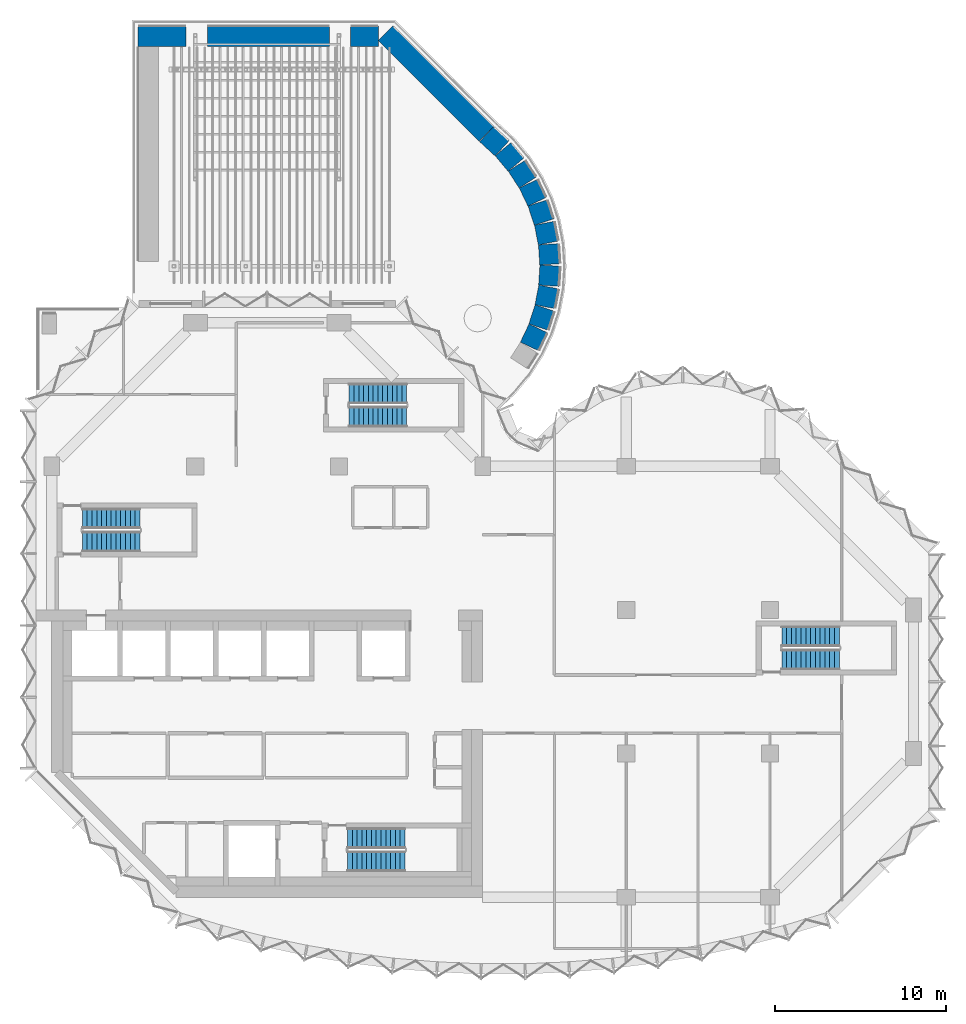
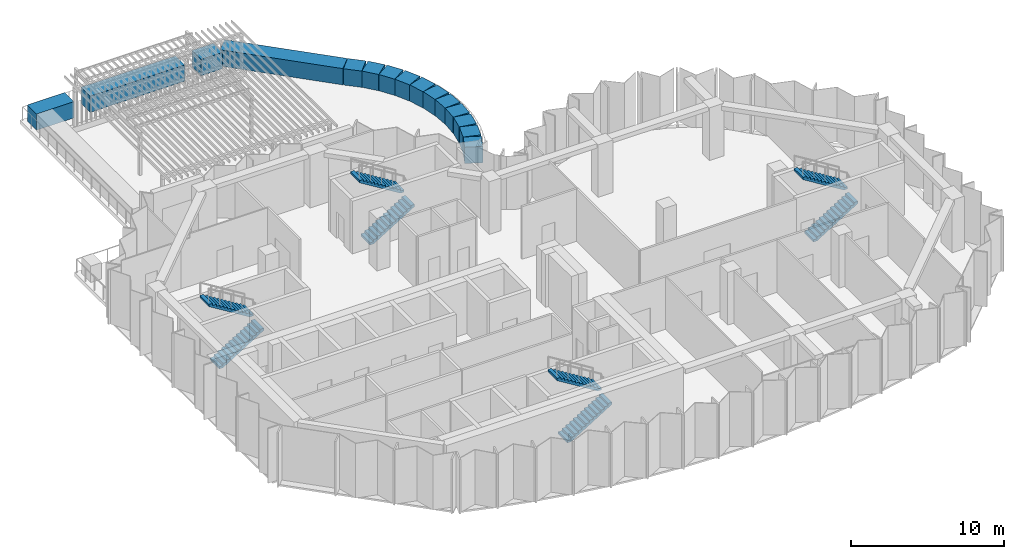
# One storey, part 11 of 15: 15 walls, 8 stair flights, 4 elements without a shape of their own.
"""IFC4 building model written with IfcOpenShell, lengths in metres."""

import ifcopenshell
import ifcopenshell.guid

model = None  # the IFC model being written
_history = None  # IfcOwnerHistory: only IFC2X3 demands one
_inside = {}  # id of a spatial element -> (the spatial element, [elements in it])
_under = {}  # id of a project, library or spatial element -> (it, [spatial elements below it])
_declared = {}  # id of a project -> (the project, [libraries it declares])
_typed = {}  # id of a type object -> (the type object, [elements of that type])
_made_of = {}  # id of a material, layer set ... -> (it, [elements and type objects made of it])


def new_model(schema):
    """Start an empty IFC model of exactly this schema.

    Asked for "IFC4X3", IfcOpenShell would pick the latest addendum, in which some entities
    have other attributes; the version numbers below select the first issue.
    IFC2X3 requires an IfcOwnerHistory on every rooted entity: one is made here for all.
    """
    global model, _history
    if schema == "IFC4X3":
        model = ifcopenshell.file(schema_version=(4, 3, 0, 0))
    else:
        model = ifcopenshell.file(schema=schema)
    _inside.clear()
    _under.clear()
    _declared.clear()
    _typed.clear()
    _made_of.clear()
    _history = None
    if model.schema == "IFC2X3":
        org = make("IfcOrganization", Name="unknown")
        user = make(
            "IfcPersonAndOrganization",
            ThePerson=make("IfcPerson", FamilyName="unknown"),
            TheOrganization=org,
        )
        app = make(
            "IfcApplication",
            ApplicationDeveloper=org,
            Version="unknown",
            ApplicationFullName="unknown",
            ApplicationIdentifier="unknown",
        )
        _history = make(
            "IfcOwnerHistory",
            OwningUser=user,
            OwningApplication=app,
            ChangeAction="ADDED",
            CreationDate=0,
        )
    return model


def make(cls, **values):
    """One entity of the class cls with the attributes given. An attribute that is None is left unset."""
    return model.create_entity(
        cls, **{name: value for name, value in values.items() if value is not None}
    )


def rooted(cls, **values):
    """An entity with a GlobalId (a new one), such as an element, a storey or a relation."""
    return make(cls, GlobalId=ifcopenshell.guid.new(), OwnerHistory=_history, **values)


def si_unit(unit_type, name, prefix=None):
    """IfcSIUnit, for example si_unit("LENGTHUNIT", "METRE", prefix="MILLI")."""
    return make("IfcSIUnit", UnitType=unit_type, Prefix=prefix, Name=name)


def assignment(units):
    """IfcUnitAssignment: the units of a project."""
    return None if units is None else make("IfcUnitAssignment", Units=units)


def point(xyz):
    """IfcCartesianPoint."""
    return None if xyz is None else make("IfcCartesianPoint", Coordinates=xyz)


def direction(xyz):
    """IfcDirection."""
    return None if xyz is None else make("IfcDirection", DirectionRatios=xyz)


def frame(location, z_axis=None, x_axis=None):
    """IfcAxis2Placement3D, a coordinate frame: its origin and axes. An axis left out is left unset."""
    return make(
        "IfcAxis2Placement3D",
        Location=point(location),
        Axis=direction(z_axis),
        RefDirection=direction(x_axis),
    )


def frame_2d(location, x_axis=None):
    """IfcAxis2Placement2D, a coordinate frame in the plane: its origin and x axis."""
    return make(
        "IfcAxis2Placement2D", Location=point(location), RefDirection=direction(x_axis)
    )


def origin():
    """The frame at (0, 0, 0) with its axes left unset."""
    return frame((0.0, 0.0, 0.0))


def place(relative_to, where):
    """IfcLocalPlacement: puts the frame where relative to a parent placement (None: the world)."""
    return make(
        "IfcLocalPlacement", PlacementRelTo=relative_to, RelativePlacement=where
    )


def context(
    kind, dimensions, precision=None, world=None, true_north=None, identifier=None
):
    """IfcGeometricRepresentationContext, for example the 3D "Model" context."""
    return make(
        "IfcGeometricRepresentationContext",
        ContextIdentifier=identifier,
        ContextType=kind,
        CoordinateSpaceDimension=dimensions,
        Precision=precision,
        WorldCoordinateSystem=world,
        TrueNorth=true_north,
    )


def subcontext(parent, identifier, kind, view, scale=None):
    """IfcGeometricRepresentationSubContext, for example "Body" below "Model"."""
    return make(
        "IfcGeometricRepresentationSubContext",
        ContextIdentifier=identifier,
        ContextType=kind,
        ParentContext=parent,
        TargetScale=scale,
        TargetView=view,
    )


def project(units=None, contexts=None):
    """IfcProject with its units and contexts."""
    return rooted(
        "IfcProject",
        Name="project",
        RepresentationContexts=contexts,
        UnitsInContext=assignment(units),
    )


def spatial(cls, under=None, at=None, **own):
    """A site, building, storey or space (cls), placed at a placement, below another one or the project."""
    s = rooted(cls, ObjectPlacement=at, **own)
    if under is not None:
        _under.setdefault(under.id(), (under, []))[1].append(s)
    return s


def polyline(points):
    """IfcPolyline through the points."""
    return make("IfcPolyline", Points=[point(p) for p in points])


def profile(cls, at=None, kind="AREA", **sizes):
    """A parametric profile (cls). Its sizes go by their IFC names, for example OverallWidth=200.0."""
    return make(cls, ProfileType=kind, Position=at, **sizes)


def rectangle(**sizes):
    """IfcRectangleProfileDef."""
    return profile("IfcRectangleProfileDef", **sizes)


def outline(outer, holes=None, kind="AREA"):
    """IfcArbitraryClosedProfileDef: a profile drawn as a closed curve; with holes, ...WithVoids."""
    if holes is None:
        return make("IfcArbitraryClosedProfileDef", ProfileType=kind, OuterCurve=outer)
    return make(
        "IfcArbitraryProfileDefWithVoids",
        ProfileType=kind,
        OuterCurve=outer,
        InnerCurves=holes,
    )


def extrude(swept, where, along, depth):
    """IfcExtrudedAreaSolid: the profile swept, set in the frame where, extruded along a direction by depth."""
    return make(
        "IfcExtrudedAreaSolid",
        SweptArea=swept,
        Position=where,
        ExtrudedDirection=direction(along),
        Depth=depth,
    )


def shape(context_of_items, identifier, shape_type, items):
    """IfcShapeRepresentation: the items that make up one representation, for example the "Body"."""
    return make(
        "IfcShapeRepresentation",
        ContextOfItems=context_of_items,
        RepresentationIdentifier=identifier,
        RepresentationType=shape_type,
        Items=items,
    )


def material(Name=None, Category=None):
    """IfcMaterial."""
    return make("IfcMaterial", Name=Name, Category=Category)


def layer(
    of_material, thickness, ventilated=None, Name=None, Category=None, Priority=None
):
    """IfcMaterialLayer: one layer of a wall or slab, of a material (None: an air gap)."""
    return make(
        "IfcMaterialLayer",
        Material=of_material,
        LayerThickness=thickness,
        IsVentilated=ventilated,
        Name=Name,
        Category=Category,
        Priority=Priority,
    )


def layer_set(layers, Name=None):
    """IfcMaterialLayerSet."""
    return make("IfcMaterialLayerSet", MaterialLayers=layers, LayerSetName=Name)


def made_of(thing, what):
    """Note that an element or type object is made of a material, layer set ...; save() writes the relation."""
    if what is not None:
        _made_of.setdefault(what.id(), (what, []))[1].append(thing)
    return thing


def type_object(cls, material=None, **own):
    """A type object (cls), such as IfcWallType, which elements share."""
    return made_of(rooted(cls, **own), material)


def element(
    cls,
    number,
    at=None,
    inside=None,
    cuts=None,
    type_object=None,
    material=None,
    context=None,
    identifier="Body",
    shape_type=None,
    held_by="IfcProductDefinitionShape",
    body=None,
    shapes=None,
    **own,
):
    """One element of the class cls, such as IfcWall. Its Tag is "e" and its number.

    at: its placement. inside: the storey or other place that contains it. cuts: it is an
    opening in that element (IfcRelVoidsElement). A single representation is given by context,
    identifier, shape_type and body (its items); several are given by shapes. held_by: the class
    of the entity that holds the representations. save() writes the other relations.
    """
    e = rooted(cls, Tag="e%d" % number, ObjectPlacement=at, **own)
    if body is not None:
        shapes = [shape(context, identifier, shape_type, body)]
    if shapes is not None:
        e.Representation = make(held_by, Representations=shapes)
    if inside is not None:
        _inside.setdefault(inside.id(), (inside, []))[1].append(e)
    if cuts is not None:
        rooted(
            "IfcRelVoidsElement", RelatingBuildingElement=cuts, RelatedOpeningElement=e
        )
    if type_object is not None:
        _typed.setdefault(type_object.id(), (type_object, []))[1].append(e)
    return made_of(e, material)


def aggregate(whole, parts):
    """IfcRelAggregates: a whole, such as a stair, and the parts it consists of."""
    return rooted("IfcRelAggregates", RelatingObject=whole, RelatedObjects=parts)


def save(model, path):
    """Write the relations noted so far, then the file.

    IfcRelAggregates (storeys below a building ...), IfcRelContainedInSpatialStructure (elements
    in a storey), IfcRelDefinesByType, IfcRelAssociatesMaterial and IfcRelDeclares: one each for
    every whole, place, type object, material and project.
    """
    for whole, parts in _under.values():
        aggregate(whole, parts)
    for where, things in _inside.values():
        rooted(
            "IfcRelContainedInSpatialStructure",
            RelatedElements=things,
            RelatingStructure=where,
        )
    for kind, things in _typed.values():
        rooted("IfcRelDefinesByType", RelatedObjects=things, RelatingType=kind)
    for what, things in _made_of.values():
        rooted("IfcRelAssociatesMaterial", RelatedObjects=things, RelatingMaterial=what)
    for by, libraries in _declared.values():
        rooted("IfcRelDeclares", RelatingContext=by, RelatedDefinitions=libraries)
    model.write(path)


model = new_model("IFC4")

# Units and contexts
model_context = context("Model", 3, precision=1e-05, world=origin(), true_north=direction((0.0, 1.0)))
body_context = subcontext(model_context, "Body", "Model", "MODEL_VIEW")
ifc_project = project(units=[si_unit("LENGTHUNIT", "METRE"), si_unit("AREAUNIT", "SQUARE_METRE"), si_unit("VOLUMEUNIT", "CUBIC_METRE"), si_unit("PLANEANGLEUNIT", "RADIAN"), si_unit("MASSUNIT", "GRAM", prefix="KILO")], contexts=[model_context])

# Site, building, storey
site_placement = place(None, origin())
site = spatial("IfcSite", under=ifc_project, at=site_placement, CompositionType="ELEMENT")
building_placement = place(site_placement, origin())
building = spatial("IfcBuilding", under=site, at=building_placement, Name="Brevane Broadcast Tower", CompositionType="ELEMENT")
storey_placement = place(building_placement, frame((0.0, 0.0, 206.39990234375)))
storey = spatial("IfcBuildingStorey", under=building, at=storey_placement, Name="L52", CompositionType="ELEMENT", Elevation=206.39990234375)

# Walls
ifc_material_1 = material(Name="Concrete C30/37", Category="concrete")
ifc_layer = layer(ifc_material_1, 1.199951171875)
ifc_layer_set = layer_set([ifc_layer], Name="Planter wall 1200")
wall_type = type_object("IfcWallType", Name="Planter wall 1200", PredefinedType="PARAPET", material=ifc_layer_set)
for number, where, z_axis, x_axis, name in (
    (1, (27.951416015625, 32.203369140625, 0.0), (0.0, 0.0, 1.0), (0.429780521069, 0.902933388301, 0.0), "Planting bed L52-3"),
    (2, (28.476318359375, 33.33935546875, 0.0), (0.0, 0.0, 1.0), (0.312115828174, 0.95004405677, 0.0), "Planting bed L52-4"),
):
    element("IfcWall", number, at=place(storey_placement, frame(where, z_axis=z_axis, x_axis=x_axis)), inside=storey, type_object=wall_type, Name=name, PredefinedType="PARAPET", context=body_context, shape_type="SweptSolid", body=[
        extrude(rectangle(XDim=1.176513671875, YDim=1.199951171875, at=frame_2d((0.58837890625, 0.0))), origin(), (0.0, 0.0, 1.0), 1.300048828125),
    ])
wall_1_placement = place(storey_placement, frame((28.85302734375, 34.53271484375, 0.0), z_axis=(0.0, 0.0, 1.0), x_axis=(0.189486264701, 0.981883371633, 0.0)))
element("IfcWall", 3, at=wall_1_placement, inside=storey, type_object=wall_type, Name="Planting bed L52-5", PredefinedType="PARAPET", context=body_context, shape_type="SweptSolid", body=[
    extrude(rectangle(XDim=1.17626953125, YDim=1.199951171875, at=frame_2d((0.588134765625, 0.0))), origin(), (0.0, 0.0, 1.0), 1.300048828125),
])
for number, where, z_axis, x_axis, name in (
    (4, (29.075927734375, 35.763916015625, 0.0), (0.0, 0.0, 1.0), (0.063295575283, 0.997994824711, 0.0), "Planting bed L52-6"),
    (5, (29.140869140625, 37.013671875, 0.0), (0.0, 0.0, 1.0), (-0.063502266263, 0.997981694311, 0.0), "Planting bed L52-7"),
):
    element("IfcWall", number, at=place(storey_placement, frame(where, z_axis=z_axis, x_axis=x_axis)), inside=storey, type_object=wall_type, Name=name, PredefinedType="PARAPET", context=body_context, shape_type="SweptSolid", body=[
        extrude(rectangle(XDim=1.176513671875, YDim=1.199951171875, at=frame_2d((0.58837890625, 0.0))), origin(), (0.0, 0.0, 1.0), 1.300048828125),
    ])
wall_2_placement = place(storey_placement, frame((29.047119140625, 38.261474609375, 0.0), z_axis=(0.0, 0.0, 1.0), x_axis=(-0.189286162264, 0.981921966744, 0.0)))
element("IfcWall", 6, at=wall_2_placement, inside=storey, type_object=wall_type, Name="Planting bed L52-8", PredefinedType="PARAPET", context=body_context, shape_type="SweptSolid", body=[
    extrude(rectangle(XDim=1.17626953125, YDim=1.199951171875, at=frame_2d((0.588134765625, 0.0))), origin(), (0.0, 0.0, 1.0), 1.300048828125),
])
for number, where, z_axis, x_axis, name in (
    (7, (28.796142578125, 39.4873046875, 0.0), (0.0, 0.0, 1.0), (-0.312303117595, 0.949982506544, 0.0), "Planting bed L52-9"),
    (8, (28.391845703125, 40.671630859375, 0.0), (0.0, 0.0, 1.0), (-0.429949689744, 0.902852847528, 0.0), "Planting bed L52-10"),
    (9, (27.8408203125, 41.795166015625, 0.0), (0.0, 0.0, 1.0), (-0.540831012483, 0.841131271525, 0.0), "Planting bed L52-11"),
    (10, (27.152099609375, 42.83984375, 0.0), (0.0, 0.0, 1.0), (-0.64301688895, 0.765851996488, 0.0), "Planting bed L52-12"),
):
    element("IfcWall", number, at=place(storey_placement, frame(where, z_axis=z_axis, x_axis=x_axis)), inside=storey, type_object=wall_type, Name=name, PredefinedType="PARAPET", context=body_context, shape_type="SweptSolid", body=[
        extrude(rectangle(XDim=1.176513671875, YDim=1.199951171875, at=frame_2d((0.58837890625, 0.0))), origin(), (0.0, 0.0, 1.0), 1.300048828125),
    ])
wall_3_placement = place(storey_placement, frame((26.33642578125, 43.788818359375, 0.0), z_axis=(0.0, 0.0, 1.0), x_axis=(-0.734734940809, 0.678354307685, 0.0)))
element("IfcWall", 11, at=wall_3_placement, inside=storey, type_object=wall_type, Name="Planting bed L52-13", PredefinedType="PARAPET", context=body_context, shape_type="SweptSolid", body=[
    extrude(rectangle(XDim=1.229736328125, YDim=1.199951171875, at=frame_2d((0.61474609375, 0.0))), origin(), (0.0, 0.0, 1.0), 1.300048828125),
])
wall_4_placement = place(storey_placement, frame((25.416259765625, 44.64013671875, 0.0), z_axis=(0.0, 0.0, 1.0), x_axis=(-0.707106781187, 0.707106781187, 0.0)))
element("IfcWall", 12, at=wall_4_placement, inside=storey, type_object=wall_type, Name="Planting bed L52-14", PredefinedType="PARAPET", context=body_context, shape_type="SweptSolid", body=[
    extrude(rectangle(XDim=8.3232421875, YDim=1.199951171875, at=frame_2d((4.16162109375, 0.0))), origin(), (0.0, 0.0, 1.0), 1.300048828125),
])
wall_5_placement = place(storey_placement, frame((19.1064453125, 50.35009765625, 0.0), z_axis=(0.0, 0.0, 1.0), x_axis=(-1.0, 0.0, 0.0)))
element("IfcWall", 13, at=wall_5_placement, inside=storey, type_object=wall_type, Name="Planting bed L52-15", PredefinedType="PARAPET", context=body_context, shape_type="SweptSolid", body=[
    extrude(rectangle(XDim=1.619384765625, YDim=1.199951171875, at=frame_2d((0.8095703125, 0.0))), origin(), (0.0, 0.0, 1.0), 1.300048828125),
])
wall_6_placement = place(storey_placement, frame((16.25390625, 50.35009765625, 0.0), z_axis=(0.0, 0.0, 1.0), x_axis=(-1.0, 0.0, 0.0)))
element("IfcWall", 14, at=wall_6_placement, inside=storey, type_object=wall_type, Name="Planting bed L52-16", PredefinedType="PARAPET", context=body_context, shape_type="SweptSolid", body=[
    extrude(rectangle(XDim=7.1513671875, YDim=1.199951171875, at=frame_2d((3.57568359375, 0.0))), origin(), (0.0, 0.0, 1.0), 1.300048828125),
])
wall_7_placement = place(storey_placement, frame((7.869384765625, 50.35009765625, 0.0), z_axis=(0.0, 0.0, 1.0), x_axis=(-1.0, 0.0, 0.0)))
element("IfcWall", 15, at=wall_7_placement, inside=storey, type_object=wall_type, Name="Planting bed L52-17", PredefinedType="PARAPET", context=body_context, shape_type="SweptSolid", body=[
    extrude(rectangle(XDim=2.8193359375, YDim=1.199951171875, at=frame_2d((1.40966796875, 0.0))), origin(), (0.0, 0.0, 1.0), 1.300048828125),
])

# Stair, stair flights
ifc_material_2 = material(Name="Concrete C50/60", Category="concrete")
stair_type = type_object("IfcStairType", Name="Exit stair 26 risers", PredefinedType="HALF_TURN_STAIR", material=ifc_material_2)
stair_1_placement = place(storey_placement, origin())
stair_1 = element("IfcStair", 16, at=stair_1_placement, inside=storey, type_object=stair_type, Name="L52 Exit stair ST-1", PredefinedType="HALF_TURN_STAIR")
stair_flight_type = type_object("IfcStairFlightType", Name="Exit stair flight 26 risers", PredefinedType="STRAIGHT", material=ifc_material_2)
stair_flight_1_placement = place(storey_placement, frame((1.800048828125, 20.800048828125, 0.0), z_axis=(0.0, 0.0, 1.0), x_axis=(1.0, 0.0, 0.0)))
stair_flight_1 = element("IfcStairFlight", 17, at=stair_flight_1_placement, type_object=stair_flight_type, Name="ST-1 flight 1", NumberOfRisers=13, NumberOfTreads=12, PredefinedType="STRAIGHT", RiserHeight=0.173076923, TreadLength=0.28, context=body_context, shape_type="SweptSolid", body=[
    extrude(outline(polyline([(0.0, 0.0), (0.0, 0.173095703125), (0.280029296875, 0.173095703125), (0.280029296875, 0.34619140625), (0.56005859375, 0.34619140625), (0.56005859375, 0.519287109375), (0.840087890625, 0.519287109375), (0.840087890625, 0.6923828125), (1.1201171875, 0.6923828125), (1.1201171875, 0.865478515625), (1.39990234375, 0.865478515625), (1.39990234375, 1.03857421875), (1.679931640625, 1.03857421875), (1.679931640625, 1.21142578125), (1.9599609375, 1.21142578125), (1.9599609375, 1.384521484375), (2.239990234375, 1.384521484375), (2.239990234375, 1.5576171875), (2.52001953125, 1.5576171875), (2.52001953125, 1.730712890625), (2.800048828125, 1.730712890625), (2.800048828125, 1.90380859375), (3.080078125, 1.90380859375), (3.080078125, 2.076904296875), (3.360107421875, 2.076904296875), (3.360107421875, 2.25), (3.360107421875, 1.900634765625), (0.28515625, 0.0), (0.0, 0.0)])), frame((0.0, 0.60009765625, 0.0), z_axis=(0.0, -1.0, 0.0), x_axis=(1.0, 0.0, 0.0)), (0.0, 0.0, 1.0), 1.199951171875),
])
stair_flight_2_placement = place(storey_placement, frame((5.159912109375, 22.14990234375, 2.25), z_axis=(0.0, 0.0, 1.0), x_axis=(-1.0, 0.0, 0.0)))
stair_flight_2 = element("IfcStairFlight", 18, at=stair_flight_2_placement, type_object=stair_flight_type, Name="ST-1 flight 2", NumberOfRisers=13, NumberOfTreads=12, PredefinedType="STRAIGHT", RiserHeight=0.173076923, TreadLength=0.28, context=body_context, shape_type="SweptSolid", body=[
    extrude(outline(polyline([(0.0, 0.0), (0.0, 0.173095703125), (0.280029296875, 0.173095703125), (0.280029296875, 0.34619140625), (0.56005859375, 0.34619140625), (0.56005859375, 0.519287109375), (0.840087890625, 0.519287109375), (0.840087890625, 0.6923828125), (1.1201171875, 0.6923828125), (1.1201171875, 0.865478515625), (1.39990234375, 0.865478515625), (1.39990234375, 1.03857421875), (1.679931640625, 1.03857421875), (1.679931640625, 1.21142578125), (1.9599609375, 1.21142578125), (1.9599609375, 1.384521484375), (2.239990234375, 1.384521484375), (2.239990234375, 1.5576171875), (2.52001953125, 1.5576171875), (2.52001953125, 1.730712890625), (2.800048828125, 1.730712890625), (2.800048828125, 1.90380859375), (3.080078125, 1.90380859375), (3.080078125, 2.076904296875), (3.360107421875, 2.076904296875), (3.360107421875, 2.25), (3.360107421875, 1.900634765625), (0.28515625, 0.0), (0.0, 0.0)])), frame((0.0, 0.60009765625, 0.0), z_axis=(0.0, -1.0, 0.0), x_axis=(1.0, 0.0, 0.0)), (0.0, 0.0, 1.0), 1.199951171875),
])
aggregate(stair_1, [stair_flight_1, stair_flight_2])

stair_2_placement = place(storey_placement, origin())
stair_2 = element("IfcStair", 19, at=stair_2_placement, inside=storey, type_object=stair_type, Name="L52 Exit stair ST-2", PredefinedType="HALF_TURN_STAIR")
stair_flight_3_placement = place(storey_placement, frame((17.300048828125, 2.10009765625, 0.0), z_axis=(0.0, 0.0, 1.0), x_axis=(1.0, 0.0, 0.0)))
stair_flight_3 = element("IfcStairFlight", 20, at=stair_flight_3_placement, type_object=stair_flight_type, Name="ST-2 flight 1", NumberOfRisers=13, NumberOfTreads=12, PredefinedType="STRAIGHT", RiserHeight=0.173076923, TreadLength=0.28, context=body_context, shape_type="SweptSolid", body=[
    extrude(outline(polyline([(0.0, 0.0), (0.0, 0.173095703125), (0.280029296875, 0.173095703125), (0.280029296875, 0.34619140625), (0.56005859375, 0.34619140625), (0.56005859375, 0.519287109375), (0.840087890625, 0.519287109375), (0.840087890625, 0.6923828125), (1.1201171875, 0.6923828125), (1.1201171875, 0.865478515625), (1.39990234375, 0.865478515625), (1.39990234375, 1.03857421875), (1.679931640625, 1.03857421875), (1.679931640625, 1.21142578125), (1.9599609375, 1.21142578125), (1.9599609375, 1.384521484375), (2.239990234375, 1.384521484375), (2.239990234375, 1.5576171875), (2.52001953125, 1.5576171875), (2.52001953125, 1.730712890625), (2.800048828125, 1.730712890625), (2.800048828125, 1.90380859375), (3.080078125, 1.90380859375), (3.080078125, 2.076904296875), (3.360107421875, 2.076904296875), (3.360107421875, 2.25), (3.360107421875, 1.900634765625), (0.28515625, 0.0), (0.0, 0.0)])), frame((0.0, 0.60009765625, 0.0), z_axis=(0.0, -1.0, 0.0), x_axis=(1.0, 0.0, 0.0)), (0.0, 0.0, 1.0), 1.199951171875),
])
stair_flight_4_placement = place(storey_placement, frame((20.659912109375, 3.449951171875, 2.25), z_axis=(0.0, 0.0, 1.0), x_axis=(-1.0, 0.0, 0.0)))
stair_flight_4 = element("IfcStairFlight", 21, at=stair_flight_4_placement, type_object=stair_flight_type, Name="ST-2 flight 2", NumberOfRisers=13, NumberOfTreads=12, PredefinedType="STRAIGHT", RiserHeight=0.173076923, TreadLength=0.28, context=body_context, shape_type="SweptSolid", body=[
    extrude(outline(polyline([(0.0, 0.0), (0.0, 0.173095703125), (0.280029296875, 0.173095703125), (0.280029296875, 0.34619140625), (0.56005859375, 0.34619140625), (0.56005859375, 0.519287109375), (0.840087890625, 0.519287109375), (0.840087890625, 0.6923828125), (1.1201171875, 0.6923828125), (1.1201171875, 0.865478515625), (1.39990234375, 0.865478515625), (1.39990234375, 1.03857421875), (1.679931640625, 1.03857421875), (1.679931640625, 1.21142578125), (1.9599609375, 1.21142578125), (1.9599609375, 1.384521484375), (2.239990234375, 1.384521484375), (2.239990234375, 1.5576171875), (2.52001953125, 1.5576171875), (2.52001953125, 1.730712890625), (2.800048828125, 1.730712890625), (2.800048828125, 1.90380859375), (3.080078125, 1.90380859375), (3.080078125, 2.076904296875), (3.360107421875, 2.076904296875), (3.360107421875, 2.25), (3.360107421875, 1.900634765625), (0.28515625, 0.0), (0.0, 0.0)])), frame((0.0, 0.60009765625, 0.0), z_axis=(0.0, -1.0, 0.0), x_axis=(1.0, 0.0, 0.0)), (0.0, 0.0, 1.0), 1.199951171875),
])
aggregate(stair_2, [stair_flight_3, stair_flight_4])

stair_3_placement = place(storey_placement, origin())
stair_3 = element("IfcStair", 22, at=stair_3_placement, inside=storey, type_object=stair_type, Name="L52 Exit stair ST-3", PredefinedType="HALF_TURN_STAIR")
stair_flight_5_placement = place(storey_placement, frame((17.39990234375, 28.10009765625, 0.0), z_axis=(0.0, 0.0, 1.0), x_axis=(1.0, 0.0, 0.0)))
stair_flight_5 = element("IfcStairFlight", 23, at=stair_flight_5_placement, type_object=stair_flight_type, Name="ST-3 flight 1", NumberOfRisers=13, NumberOfTreads=12, PredefinedType="STRAIGHT", RiserHeight=0.173076923, TreadLength=0.28, context=body_context, shape_type="SweptSolid", body=[
    extrude(outline(polyline([(0.0, 0.0), (0.0, 0.173095703125), (0.280029296875, 0.173095703125), (0.280029296875, 0.34619140625), (0.56005859375, 0.34619140625), (0.56005859375, 0.519287109375), (0.840087890625, 0.519287109375), (0.840087890625, 0.6923828125), (1.1201171875, 0.6923828125), (1.1201171875, 0.865478515625), (1.39990234375, 0.865478515625), (1.39990234375, 1.03857421875), (1.679931640625, 1.03857421875), (1.679931640625, 1.21142578125), (1.9599609375, 1.21142578125), (1.9599609375, 1.384521484375), (2.239990234375, 1.384521484375), (2.239990234375, 1.5576171875), (2.52001953125, 1.5576171875), (2.52001953125, 1.730712890625), (2.800048828125, 1.730712890625), (2.800048828125, 1.90380859375), (3.080078125, 1.90380859375), (3.080078125, 2.076904296875), (3.360107421875, 2.076904296875), (3.360107421875, 2.25), (3.360107421875, 1.900634765625), (0.28515625, 0.0), (0.0, 0.0)])), frame((0.0, 0.60009765625, 0.0), z_axis=(0.0, -1.0, 0.0), x_axis=(1.0, 0.0, 0.0)), (0.0, 0.0, 1.0), 1.199951171875),
])
stair_flight_6_placement = place(storey_placement, frame((20.760009765625, 29.449951171875, 2.25), z_axis=(0.0, 0.0, 1.0), x_axis=(-1.0, 0.0, 0.0)))
stair_flight_6 = element("IfcStairFlight", 24, at=stair_flight_6_placement, type_object=stair_flight_type, Name="ST-3 flight 2", NumberOfRisers=13, NumberOfTreads=12, PredefinedType="STRAIGHT", RiserHeight=0.173076923, TreadLength=0.28, context=body_context, shape_type="SweptSolid", body=[
    extrude(outline(polyline([(0.0, 0.0), (0.0, 0.173095703125), (0.280029296875, 0.173095703125), (0.280029296875, 0.34619140625), (0.56005859375, 0.34619140625), (0.56005859375, 0.519287109375), (0.840087890625, 0.519287109375), (0.840087890625, 0.6923828125), (1.1201171875, 0.6923828125), (1.1201171875, 0.865478515625), (1.39990234375, 0.865478515625), (1.39990234375, 1.03857421875), (1.679931640625, 1.03857421875), (1.679931640625, 1.21142578125), (1.9599609375, 1.21142578125), (1.9599609375, 1.384521484375), (2.239990234375, 1.384521484375), (2.239990234375, 1.5576171875), (2.52001953125, 1.5576171875), (2.52001953125, 1.730712890625), (2.800048828125, 1.730712890625), (2.800048828125, 1.90380859375), (3.080078125, 1.90380859375), (3.080078125, 2.076904296875), (3.360107421875, 2.076904296875), (3.360107421875, 2.25), (3.360107421875, 1.900634765625), (0.28515625, 0.0), (0.0, 0.0)])), frame((0.0, 0.60009765625, 0.0), z_axis=(0.0, -1.0, 0.0), x_axis=(1.0, 0.0, 0.0)), (0.0, 0.0, 1.0), 1.199951171875),
])
aggregate(stair_3, [stair_flight_5, stair_flight_6])

stair_4_placement = place(storey_placement, origin())
stair_4 = element("IfcStair", 25, at=stair_4_placement, inside=storey, type_object=stair_type, Name="L52 Exit stair ST-4", PredefinedType="HALF_TURN_STAIR")
stair_flight_7_placement = place(storey_placement, frame((42.699951171875, 13.89990234375, 0.0), z_axis=(0.0, 0.0, 1.0), x_axis=(1.0, 0.0, 0.0)))
stair_flight_7 = element("IfcStairFlight", 26, at=stair_flight_7_placement, type_object=stair_flight_type, Name="ST-4 flight 1", NumberOfRisers=13, NumberOfTreads=12, PredefinedType="STRAIGHT", RiserHeight=0.173076923, TreadLength=0.28, context=body_context, shape_type="SweptSolid", body=[
    extrude(outline(polyline([(0.0, 0.0), (0.0, 0.173095703125), (0.280029296875, 0.173095703125), (0.280029296875, 0.34619140625), (0.56005859375, 0.34619140625), (0.56005859375, 0.519287109375), (0.840087890625, 0.519287109375), (0.840087890625, 0.6923828125), (1.1201171875, 0.6923828125), (1.1201171875, 0.865478515625), (1.39990234375, 0.865478515625), (1.39990234375, 1.03857421875), (1.679931640625, 1.03857421875), (1.679931640625, 1.21142578125), (1.9599609375, 1.21142578125), (1.9599609375, 1.384521484375), (2.239990234375, 1.384521484375), (2.239990234375, 1.5576171875), (2.52001953125, 1.5576171875), (2.52001953125, 1.730712890625), (2.800048828125, 1.730712890625), (2.800048828125, 1.90380859375), (3.080078125, 1.90380859375), (3.080078125, 2.076904296875), (3.360107421875, 2.076904296875), (3.360107421875, 2.25), (3.360107421875, 1.900634765625), (0.28515625, 0.0), (0.0, 0.0)])), frame((0.0, 0.60009765625, 0.0), z_axis=(0.0, -1.0, 0.0), x_axis=(1.0, 0.0, 0.0)), (0.0, 0.0, 1.0), 1.199951171875),
])
stair_flight_8_placement = place(storey_placement, frame((46.06005859375, 15.25, 2.25), z_axis=(0.0, 0.0, 1.0), x_axis=(-1.0, 0.0, 0.0)))
stair_flight_8 = element("IfcStairFlight", 27, at=stair_flight_8_placement, type_object=stair_flight_type, Name="ST-4 flight 2", NumberOfRisers=13, NumberOfTreads=12, PredefinedType="STRAIGHT", RiserHeight=0.173076923, TreadLength=0.28, context=body_context, shape_type="SweptSolid", body=[
    extrude(outline(polyline([(0.0, 0.0), (0.0, 0.173095703125), (0.280029296875, 0.173095703125), (0.280029296875, 0.34619140625), (0.56005859375, 0.34619140625), (0.56005859375, 0.519287109375), (0.840087890625, 0.519287109375), (0.840087890625, 0.6923828125), (1.1201171875, 0.6923828125), (1.1201171875, 0.865478515625), (1.39990234375, 0.865478515625), (1.39990234375, 1.03857421875), (1.679931640625, 1.03857421875), (1.679931640625, 1.21142578125), (1.9599609375, 1.21142578125), (1.9599609375, 1.384521484375), (2.239990234375, 1.384521484375), (2.239990234375, 1.5576171875), (2.52001953125, 1.5576171875), (2.52001953125, 1.730712890625), (2.800048828125, 1.730712890625), (2.800048828125, 1.90380859375), (3.080078125, 1.90380859375), (3.080078125, 2.076904296875), (3.360107421875, 2.076904296875), (3.360107421875, 2.25), (3.360107421875, 1.900634765625), (0.28515625, 0.0), (0.0, 0.0)])), frame((0.0, 0.60009765625, 0.0), z_axis=(0.0, -1.0, 0.0), x_axis=(1.0, 0.0, 0.0)), (0.0, 0.0, 1.0), 1.199951171875),
])
aggregate(stair_4, [stair_flight_7, stair_flight_8])

save(model, "model.ifc")
